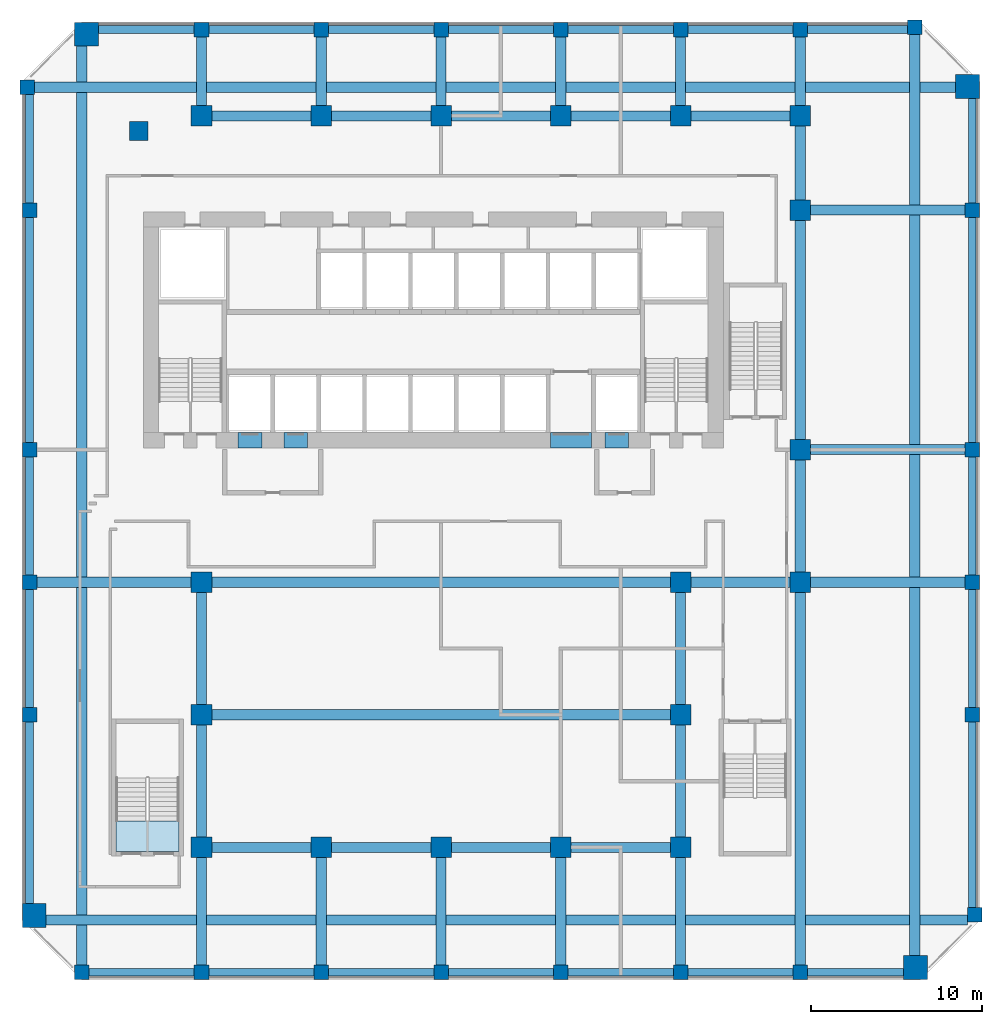
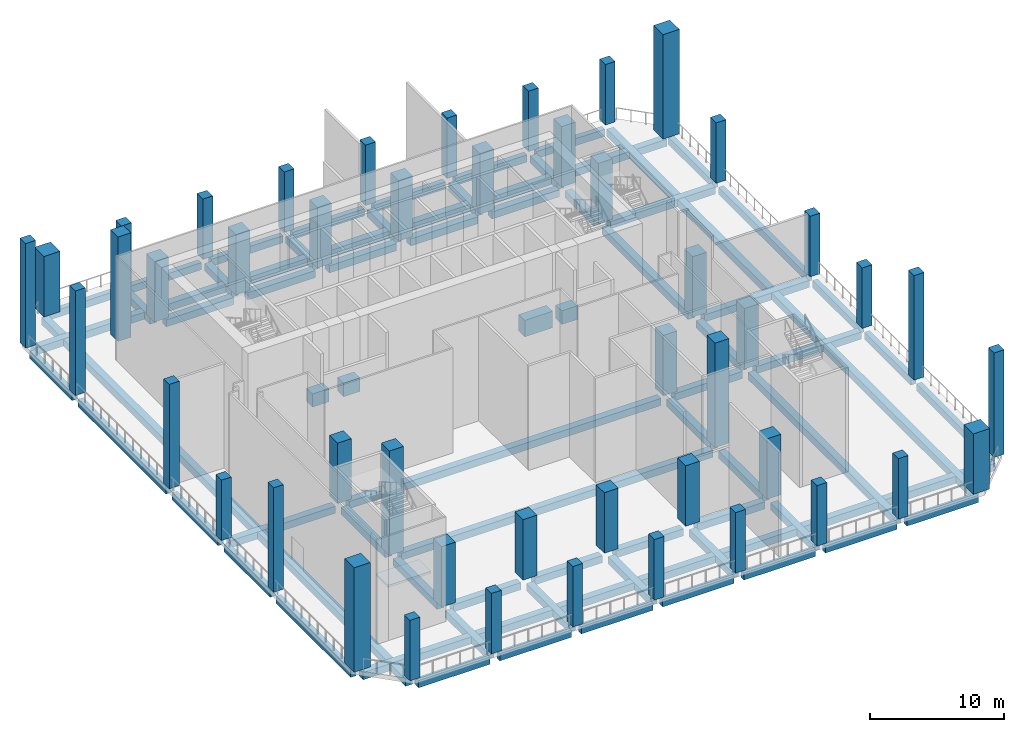
# One storey, part 1 of 12: 67 beams, 47 columns, 1 slab, 1 element without a shape of its own.
"""IFC4 building model written with IfcOpenShell, lengths in metres."""

from ifc_helpers import new_model, si_unit, direction, frame, origin, origin_2d, place, context, subcontext, project, spatial, polyline, rectangle, outline, extrude, source, transform, mapped, material, layer, layer_set, material_profile, profile_set, type_object, element, aggregate, save


model = new_model("IFC4")

# Units and contexts
model_context = context("Model", 3, precision=1e-05, world=origin(), true_north=direction((0.0, 1.0)))
body_context = subcontext(model_context, "Body", "Model", "MODEL_VIEW")
ifc_project = project(units=[si_unit("LENGTHUNIT", "METRE"), si_unit("AREAUNIT", "SQUARE_METRE"), si_unit("VOLUMEUNIT", "CUBIC_METRE"), si_unit("PLANEANGLEUNIT", "RADIAN"), si_unit("MASSUNIT", "GRAM", prefix="KILO")], contexts=[model_context])

# Site, building, storey
site_placement = place(None, origin())
site = spatial("IfcSite", under=ifc_project, at=site_placement, CompositionType="ELEMENT")
building_placement = place(site_placement, origin())
building = spatial("IfcBuilding", under=site, at=building_placement, Name="Kilnfold Tower and Market Hall", CompositionType="ELEMENT")
storey_placement = place(building_placement, frame((0.0, 0.0, 128.60009765625)))
storey = spatial("IfcBuildingStorey", under=building, at=storey_placement, Name="L30 Refuge Wind Floor", CompositionType="ELEMENT", Elevation=128.60009765625)

# Columns
ifc_material_1 = material(Name="Concrete C80", Category="concrete")
ifc_material_profile_1 = material_profile(ifc_material_1, rectangle(XDim=0.85009765625, YDim=0.85009765625, at=origin_2d()), Name="RC 850x850")
ifc_profile_set_1 = profile_set([ifc_material_profile_1], Name="Concrete C80")
column_type_1 = type_object("IfcColumnType", Name="COLUMN 850X850 C80", PredefinedType="COLUMN", material=ifc_profile_set_1)
shared_shape_1 = source(origin(), body_context, "Body", "SweptSolid", [
    extrude(rectangle(XDim=0.85009765625, YDim=0.85009765625, at=origin_2d()), origin(), (0.0, 0.0, 1.0), 9.5),
])
for number, where, z_axis, x_axis, name in (
    (1, (-22.681884765625, 29.181884765625, 0.0), (0.0, 0.0, 1.0), (1.0, 0.0, 0.0), "Column C-B3-1I"),
    (2, (-22.550048828125, -7.5, 0.0), (0.0, 0.0, 1.0), (1.0, 0.0, 0.0), "Column C-B3-1D"),
    (3, (-22.550048828125, 8.0, 0.0), (0.0, 0.0, 1.0), (1.0, 0.0, 0.0), "Column C-B3-1F"),
    (4, (-22.550048828125, 22.0, 0.0), (0.0, 0.0, 1.0), (1.0, 0.0, 0.0), "Column C-B3-1G"),
    (5, (32.550048828125, -7.5, 0.0), (0.0, 0.0, 1.0), (1.0, 0.0, 0.0), "Column C-B3-10D"),
    (6, (32.681884765625, -19.181884765625, 0.0), (0.0, 0.0, 1.0), (1.0, 0.0, 0.0), "Column C-B3-10B"),
):
    element("IfcColumn", number, at=place(storey_placement, frame(where, z_axis=z_axis, x_axis=x_axis)), inside=storey, type_object=column_type_1, Name=name, PredefinedType="COLUMN", context=body_context, shape_type="MappedRepresentation", body=[
        mapped(shared_shape_1, transform((0.0, 0.0, 0.0))),
    ])
ifc_material_2 = material(Name="Concrete C80", Category="concrete")
ifc_material_profile_2 = material_profile(ifc_material_2, rectangle(XDim=1.39990234375, YDim=1.39990234375, at=origin_2d()), Name="RC 1400x1400")
ifc_profile_set_2 = profile_set([ifc_material_profile_2], Name="Concrete C80")
column_type_2 = type_object("IfcColumnType", Name="COLUMN 1400X1400 C80", PredefinedType="COLUMN", material=ifc_profile_set_2)
shared_shape_2 = source(origin(), body_context, "Body", "SweptSolid", [
    extrude(rectangle(XDim=1.39990234375, YDim=1.39990234375, at=origin_2d()), origin(), (0.0, 0.0, 1.0), 9.5),
])
for number, where, z_axis, x_axis, name in (
    (7, (-22.27490234375, -19.22509765625, 0.0), (0.0, 0.0, 1.0), (1.0, 0.0, 0.0), "Column MC30-1"),
    (8, (32.27490234375, 29.22509765625, 0.0), (0.0, 0.0, 1.0), (1.0, 0.0, 0.0), "Column MC30-3"),
):
    element("IfcColumn", number, at=place(storey_placement, frame(where, z_axis=z_axis, x_axis=x_axis)), inside=storey, type_object=column_type_2, Name=name, PredefinedType="COLUMN", context=body_context, shape_type="MappedRepresentation", body=[
        mapped(shared_shape_2, transform((0.0, 0.0, 0.0))),
    ])
shared_shape_3 = source(origin(), body_context, "Body", "SweptSolid", [
    extrude(rectangle(XDim=0.85009765625, YDim=0.85009765625, at=origin_2d()), origin(), (0.0, 0.0, 1.0), 5.5),
])
for number, where, z_axis, x_axis, name in (
    (9, (-22.550048828125, 0.25, 0.0), (0.0, 0.0, 1.0), (1.0, 0.0, 0.0), "Column C-B3-1E"),
    (10, (-19.5, -22.550048828125, 0.0), (0.0, 0.0, 1.0), (1.0, 0.0, 0.0), "Column C-B3-2A"),
    (11, (-12.5, -22.550048828125, 0.0), (0.0, 0.0, 1.0), (1.0, 0.0, 0.0), "Column C-B3-3A"),
    (12, (-12.5, 32.550048828125, 0.0), (0.0, 0.0, 1.0), (1.0, 0.0, 0.0), "Column C-B3-3J"),
    (13, (-5.5, -22.550048828125, 0.0), (0.0, 0.0, 1.0), (1.0, 0.0, 0.0), "Column C-B3-4A"),
    (14, (-5.5, 32.550048828125, 0.0), (0.0, 0.0, 1.0), (1.0, 0.0, 0.0), "Column C-B3-4J"),
    (15, (1.5, -22.550048828125, 0.0), (0.0, 0.0, 1.0), (1.0, 0.0, 0.0), "Column C-B3-5A"),
    (16, (1.5, 32.550048828125, 0.0), (0.0, 0.0, 1.0), (1.0, 0.0, 0.0), "Column C-B3-5J"),
    (17, (8.5, -22.550048828125, 0.0), (0.0, 0.0, 1.0), (1.0, 0.0, 0.0), "Column C-B3-6A"),
    (18, (8.5, 32.550048828125, 0.0), (0.0, 0.0, 1.0), (1.0, 0.0, 0.0), "Column C-B3-6J"),
    (19, (15.5, -22.550048828125, 0.0), (0.0, 0.0, 1.0), (1.0, 0.0, 0.0), "Column C-B3-7A"),
    (20, (15.5, 32.550048828125, 0.0), (0.0, 0.0, 1.0), (1.0, 0.0, 0.0), "Column C-B3-7J"),
    (21, (22.5, -22.550048828125, 0.0), (0.0, 0.0, 1.0), (1.0, 0.0, 0.0), "Column C-B3-8A"),
    (22, (22.5, 32.550048828125, 0.0), (0.0, 0.0, 1.0), (1.0, 0.0, 0.0), "Column C-B3-8J"),
    (23, (29.181884765625, 32.681884765625, 0.0), (0.0, 0.0, 1.0), (1.0, 0.0, 0.0), "Column C-B3-9J"),
    (24, (32.550048828125, 0.25, 0.0), (0.0, 0.0, 1.0), (1.0, 0.0, 0.0), "Column C-B3-10E"),
    (25, (32.550048828125, 8.0, 0.0), (0.0, 0.0, 1.0), (1.0, 0.0, 0.0), "Column C-B3-10F"),
    (26, (32.550048828125, 22.0, 0.0), (0.0, 0.0, 1.0), (1.0, 0.0, 0.0), "Column C-B3-10G"),
):
    element("IfcColumn", number, at=place(storey_placement, frame(where, z_axis=z_axis, x_axis=x_axis)), inside=storey, type_object=column_type_1, Name=name, PredefinedType="COLUMN", context=body_context, shape_type="MappedRepresentation", body=[
        mapped(shared_shape_3, transform((0.0, 0.0, 0.0))),
    ])
shared_shape_4 = source(origin(), body_context, "Body", "SweptSolid", [
    extrude(rectangle(XDim=1.39990234375, YDim=1.39990234375, at=origin_2d()), origin(), (0.0, 0.0, 1.0), 5.5),
])
for number, where, z_axis, x_axis, name in (
    (27, (-19.22509765625, 32.27490234375, 0.0), (0.0, 0.0, 1.0), (1.0, 0.0, 0.0), "Column MC30-4"),
    (28, (29.22509765625, -22.27490234375, 0.0), (0.0, 0.0, 1.0), (1.0, 0.0, 0.0), "Column MC30-2"),
):
    element("IfcColumn", number, at=place(storey_placement, frame(where, z_axis=z_axis, x_axis=x_axis)), inside=storey, type_object=column_type_2, Name=name, PredefinedType="COLUMN", context=body_context, shape_type="MappedRepresentation", body=[
        mapped(shared_shape_4, transform((0.0, 0.0, 0.0))),
    ])
ifc_material_3 = material(Name="Concrete C80", Category="concrete")
ifc_material_profile_3 = material_profile(ifc_material_3, rectangle(XDim=1.199951171875, YDim=1.199951171875, at=origin_2d()), Name="RC 1200x1200")
ifc_profile_set_3 = profile_set([ifc_material_profile_3], Name="Concrete C80")
column_type_3 = type_object("IfcColumnType", Name="COLUMN 1200X1200 C80", PredefinedType="COLUMN", material=ifc_profile_set_3)
shared_shape_5 = source(origin(), body_context, "Body", "SweptSolid", [
    extrude(rectangle(XDim=1.199951171875, YDim=1.199951171875, at=origin_2d()), origin(), (0.0, 0.0, 1.0), 5.5),
])
for number, where, z_axis, x_axis, name in (
    (29, (-12.5, -15.25, 0.0), (0.0, 0.0, 1.0), (1.0, 0.0, 0.0), "Column C-B3-3C"),
    (30, (-12.5, 0.25, 0.0), (0.0, 0.0, 1.0), (1.0, 0.0, 0.0), "Column C-B3-3E"),
    (31, (-12.5, 27.5, 0.0), (0.0, 0.0, 1.0), (1.0, 0.0, 0.0), "Column C-B3-3H"),
    (32, (-5.5, -15.25, 0.0), (0.0, 0.0, 1.0), (1.0, 0.0, 0.0), "Column C-B3-4C"),
    (33, (-5.5, 27.5, 0.0), (0.0, 0.0, 1.0), (1.0, 0.0, 0.0), "Column C-B3-4H"),
    (34, (1.5, -15.25, 0.0), (0.0, 0.0, 1.0), (1.0, 0.0, 0.0), "Column C-B3-5C"),
    (35, (1.5, 27.5, 0.0), (0.0, 0.0, 1.0), (1.0, 0.0, 0.0), "Column C-B3-5H"),
    (36, (8.5, -15.25, 0.0), (0.0, 0.0, 1.0), (1.0, 0.0, 0.0), "Column C-B3-6C"),
    (37, (8.5, 27.5, 0.0), (0.0, 0.0, 1.0), (1.0, 0.0, 0.0), "Column C-B3-6H"),
    (38, (15.5, -15.25, 0.0), (0.0, 0.0, 1.0), (1.0, 0.0, 0.0), "Column C-B3-7C"),
    (39, (15.5, 0.25, 0.0), (0.0, 0.0, 1.0), (1.0, 0.0, 0.0), "Column C-B3-7E"),
    (40, (15.5, 27.5, 0.0), (0.0, 0.0, 1.0), (1.0, 0.0, 0.0), "Column C-B3-7H"),
    (41, (22.5, 0.25, 0.0), (0.0, 0.0, 1.0), (1.0, 0.0, 0.0), "Column C-B3-8E"),
    (42, (22.5, 8.0, 0.0), (0.0, 0.0, 1.0), (1.0, 0.0, 0.0), "Column C-B3-8F"),
    (43, (22.5, 22.0, 0.0), (0.0, 0.0, 1.0), (1.0, 0.0, 0.0), "Column C-B3-8G"),
    (44, (22.5, 27.5, 0.0), (0.0, 0.0, 1.0), (1.0, 0.0, 0.0), "Column C-B3-8H"),
):
    element("IfcColumn", number, at=place(storey_placement, frame(where, z_axis=z_axis, x_axis=x_axis)), inside=storey, type_object=column_type_3, Name=name, PredefinedType="COLUMN", context=body_context, shape_type="MappedRepresentation", body=[
        mapped(shared_shape_5, transform((0.0, 0.0, 0.0))),
    ])
shared_shape_6 = source(origin(), body_context, "Body", "SweptSolid", [
    extrude(rectangle(XDim=1.199951171875, YDim=1.199951171875, at=origin_2d()), origin(), (0.0, 0.0, 1.0), 9.5),
])
for number, where, z_axis, x_axis, name in (
    (45, (-12.5, -7.5, 0.0), (0.0, 0.0, 1.0), (1.0, 0.0, 0.0), "Column C-B3-3D"),
    (46, (15.5, -7.5, 0.0), (0.0, 0.0, 1.0), (1.0, 0.0, 0.0), "Column C-B3-7D"),
):
    element("IfcColumn", number, at=place(storey_placement, frame(where, z_axis=z_axis, x_axis=x_axis)), inside=storey, type_object=column_type_3, Name=name, PredefinedType="COLUMN", context=body_context, shape_type="MappedRepresentation", body=[
        mapped(shared_shape_6, transform((0.0, 0.0, 0.0))),
    ])
ifc_material_4 = material(Name="Concrete C70", Category="concrete")
ifc_material_profile_4 = material_profile(ifc_material_4, rectangle(XDim=1.10009765625, YDim=1.10009765625, at=origin_2d()), Name="RC 1100x1100")
ifc_profile_set_4 = profile_set([ifc_material_profile_4], Name="Concrete C70")
column_type_4 = type_object("IfcColumnType", Name="COLUMN 1100X1100 C70", PredefinedType="COLUMN", material=ifc_profile_set_4)
shared_shape_7 = source(origin(), body_context, "Body", "SweptSolid", [
    extrude(rectangle(XDim=1.10009765625, YDim=1.10009765625, at=origin_2d()), origin(), (0.0, 0.0, 1.0), 9.5),
])
column_placement = place(storey_placement, frame((-16.166748046875, 26.625, 0.0), z_axis=(0.0, 0.0, 1.0), x_axis=(1.0, 0.0, 0.0)))
element("IfcColumn", 47, at=column_placement, inside=storey, type_object=column_type_4, Name="Column C-B4-3H", PredefinedType="COLUMN", context=body_context, shape_type="MappedRepresentation", body=[
    mapped(shared_shape_7, transform((0.0, 0.0, 0.0))),
])

# Beams
ifc_material_5 = material(Name="Concrete C45", Category="concrete")
ifc_material_profile_5 = material_profile(ifc_material_5, rectangle(XDim=0.449951171875, YDim=0.64990234375, at=origin_2d()), Name="RC 450x650")
ifc_profile_set_5 = profile_set([ifc_material_profile_5], Name="Concrete C45")
beam_type_1 = type_object("IfcBeamType", Name="EDGE BEAM 450X650 C45", PredefinedType="BEAM", material=ifc_profile_set_5)
shared_shape_8 = source(origin(), body_context, "Body", "SweptSolid", [
    extrude(rectangle(XDim=0.449951171875, YDim=0.64990234375, at=origin_2d()), origin(), (0.0, 0.0, 1.0), 6.14990234375),
])
for number, where, z_axis, x_axis, name in (
    (48, (-19.074951171875, -22.550048828125, -0.72509765625), (1.0, 0.0, 0.0), (0.0, 1.0, 0.0), "Beam EB650-B3.52"),
    (49, (-12.074951171875, -22.550048828125, -0.72509765625), (1.0, 0.0, 0.0), (0.0, 1.0, 0.0), "Beam EB650-B3.53"),
    (50, (-5.074951171875, -22.550048828125, -0.72509765625), (1.0, 0.0, 0.0), (0.0, 1.0, 0.0), "Beam EB650-B3.54"),
    (51, (1.925048828125, -22.550048828125, -0.72509765625), (1.0, 0.0, 0.0), (0.0, 1.0, 0.0), "Beam EB650-B3.55"),
    (52, (8.925048828125, -22.550048828125, -0.72509765625), (1.0, 0.0, 0.0), (0.0, 1.0, 0.0), "Beam EB650-B3.56"),
    (53, (15.925048828125, -22.550048828125, -0.72509765625), (1.0, 0.0, 0.0), (0.0, 1.0, 0.0), "Beam EB650-B3.57"),
    (54, (22.925048828125, -22.550048828125, -0.72509765625), (1.0, 0.0, 0.0), (0.0, 1.0, 0.0), "Beam EB650-B3.58"),
    (55, (-19.074951171875, 32.550048828125, -0.72509765625), (1.0, 0.0, 0.0), (0.0, 1.0, 0.0), "Beam EB650-B3.67"),
    (56, (-12.074951171875, 32.550048828125, -0.72509765625), (1.0, 0.0, 0.0), (0.0, 1.0, 0.0), "Beam EB650-B3.68"),
    (57, (-5.074951171875, 32.550048828125, -0.72509765625), (1.0, 0.0, 0.0), (0.0, 1.0, 0.0), "Beam EB650-B3.69"),
    (58, (1.925048828125, 32.550048828125, -0.72509765625), (1.0, 0.0, 0.0), (0.0, 1.0, 0.0), "Beam EB650-B3.70"),
    (59, (8.925048828125, 32.550048828125, -0.72509765625), (1.0, 0.0, 0.0), (0.0, 1.0, 0.0), "Beam EB650-B3.71"),
    (60, (15.925048828125, 32.550048828125, -0.72509765625), (1.0, 0.0, 0.0), (0.0, 1.0, 0.0), "Beam EB650-B3.72"),
):
    element("IfcBeam", number, at=place(storey_placement, frame(where, z_axis=z_axis, x_axis=x_axis)), inside=storey, type_object=beam_type_1, Name=name, PredefinedType="BEAM", context=body_context, shape_type="MappedRepresentation", body=[
        mapped(shared_shape_8, transform((0.0, 0.0, 0.0))),
    ])
ifc_material_6 = material(Name="Concrete C45", Category="concrete")
ifc_material_profile_6 = material_profile(ifc_material_6, rectangle(XDim=0.60009765625, YDim=0.64990234375, at=origin_2d()), Name="RC 600x650")
ifc_profile_set_6 = profile_set([ifc_material_profile_6], Name="Concrete C45")
beam_type_2 = type_object("IfcBeamType", Name="BEAM 600X650 C45", PredefinedType="BEAM", material=ifc_profile_set_6)
shared_shape_9 = source(origin(), body_context, "Body", "SweptSolid", [
    extrude(rectangle(XDim=0.60009765625, YDim=0.64990234375, at=origin_2d()), origin(), (0.0, 0.0, 1.0), 54.3818359375),
])
for number, where, z_axis, x_axis, name in (
    (61, (-22.125, -19.5, -0.72509765625), (1.0, 0.0, 0.0), (0.0, 1.0, 0.0), "Beam BB650-B3.59"),
    (62, (-22.2568359375, 29.179931640625, -0.72509765625), (1.0, 0.0, 0.0), (0.0, 1.0, 0.0), "Beam BB650-B3.66"),
    (63, (29.179931640625, -22.125, -0.72509765625), (0.0, 1.0, 0.0), (-1.0, 0.0, 0.0), "Beam BB650-B3.82"),
):
    element("IfcBeam", number, at=place(storey_placement, frame(where, z_axis=z_axis, x_axis=x_axis)), inside=storey, type_object=beam_type_2, Name=name, PredefinedType="BEAM", context=body_context, shape_type="MappedRepresentation", body=[
        mapped(shared_shape_9, transform((0.0, 0.0, 0.0))),
    ])
shared_shape_10 = source(origin(), body_context, "Body", "SweptSolid", [
    extrude(rectangle(XDim=0.60009765625, YDim=0.64990234375, at=origin_2d()), origin(), (0.0, 0.0, 1.0), 26.7998046875),
])
for number, where, z_axis, x_axis, name in (
    (64, (-11.89990234375, -7.5, -0.72509765625), (1.0, 0.0, 0.0), (0.0, 1.0, 0.0), "Beam BB650-B3.60"),
    (65, (-11.89990234375, 0.25, -0.72509765625), (1.0, 0.0, 0.0), (0.0, 1.0, 0.0), "Beam BB650-B3.62"),
):
    element("IfcBeam", number, at=place(storey_placement, frame(where, z_axis=z_axis, x_axis=x_axis)), inside=storey, type_object=beam_type_2, Name=name, PredefinedType="BEAM", context=body_context, shape_type="MappedRepresentation", body=[
        mapped(shared_shape_10, transform((0.0, 0.0, 0.0))),
    ])
shared_shape_11 = source(origin(), body_context, "Body", "SweptSolid", [
    extrude(rectangle(XDim=0.60009765625, YDim=0.64990234375, at=origin_2d()), origin(), (0.0, 0.0, 1.0), 9.02490234375),
])
for number, where, z_axis, x_axis, name in (
    (66, (-22.125, 0.25, -0.72509765625), (1.0, 0.0, 0.0), (0.0, 1.0, 0.0), "Beam BB650-B3.61"),
    (67, (23.10009765625, 0.25, -0.72509765625), (1.0, 0.0, 0.0), (0.0, 1.0, 0.0), "Beam BB650-B3.63"),
    (68, (23.10009765625, 8.0, -0.72509765625), (1.0, 0.0, 0.0), (0.0, 1.0, 0.0), "Beam BB650-B3.64"),
    (69, (23.10009765625, 22.0, -0.72509765625), (1.0, 0.0, 0.0), (0.0, 1.0, 0.0), "Beam BB650-B3.65"),
):
    element("IfcBeam", number, at=place(storey_placement, frame(where, z_axis=z_axis, x_axis=x_axis)), inside=storey, type_object=beam_type_2, Name=name, PredefinedType="BEAM", context=body_context, shape_type="MappedRepresentation", body=[
        mapped(shared_shape_11, transform((0.0, 0.0, 0.0))),
    ])
shared_shape_12 = source(origin(), body_context, "Body", "SweptSolid", [
    extrude(rectangle(XDim=0.449951171875, YDim=0.64990234375, at=origin_2d()), origin(), (0.0, 0.0, 1.0), 5.831787109375),
])
beam_1_placement = place(storey_placement, frame((22.925048828125, 32.550048828125, -0.72509765625), z_axis=(1.0, 0.0, 0.0), x_axis=(0.0, 1.0, 0.0)))
element("IfcBeam", 70, at=beam_1_placement, inside=storey, type_object=beam_type_1, Name="Beam EB650-B3.73", PredefinedType="BEAM", context=body_context, shape_type="MappedRepresentation", body=[
    mapped(shared_shape_12, transform((0.0, 0.0, 0.0))),
])
shared_shape_13 = source(origin(), body_context, "Body", "SweptSolid", [
    extrude(rectangle(XDim=0.449951171875, YDim=0.64990234375, at=origin_2d()), origin(), (0.0, 0.0, 1.0), 11.14990234375),
])
beam_2_placement = place(storey_placement, frame((-22.550048828125, -19.074951171875, -0.72509765625), z_axis=(0.0, 1.0, 0.0), x_axis=(-1.0, 0.0, 0.0)))
element("IfcBeam", 71, at=beam_2_placement, inside=storey, type_object=beam_type_1, Name="Beam EB650-B3.74", PredefinedType="BEAM", context=body_context, shape_type="MappedRepresentation", body=[
    mapped(shared_shape_13, transform((0.0, 0.0, 0.0))),
])
shared_shape_14 = source(origin(), body_context, "Body", "SweptSolid", [
    extrude(rectangle(XDim=0.449951171875, YDim=0.64990234375, at=origin_2d()), origin(), (0.0, 0.0, 1.0), 6.89990234375),
])
for number, where, z_axis, x_axis, name in (
    (72, (-22.550048828125, -7.074951171875, -0.72509765625), (0.0, 1.0, 0.0), (-1.0, 0.0, 0.0), "Beam EB650-B3.75"),
    (73, (-22.550048828125, 0.675048828125, -0.72509765625), (0.0, 1.0, 0.0), (-1.0, 0.0, 0.0), "Beam EB650-B3.76"),
    (74, (32.550048828125, -7.074951171875, -0.72509765625), (0.0, 1.0, 0.0), (-1.0, 0.0, 0.0), "Beam EB650-B3.84"),
    (75, (32.550048828125, 0.675048828125, -0.72509765625), (0.0, 1.0, 0.0), (-1.0, 0.0, 0.0), "Beam EB650-B3.85"),
):
    element("IfcBeam", number, at=place(storey_placement, frame(where, z_axis=z_axis, x_axis=x_axis)), inside=storey, type_object=beam_type_1, Name=name, PredefinedType="BEAM", context=body_context, shape_type="MappedRepresentation", body=[
        mapped(shared_shape_14, transform((0.0, 0.0, 0.0))),
    ])
shared_shape_15 = source(origin(), body_context, "Body", "SweptSolid", [
    extrude(rectangle(XDim=0.449951171875, YDim=0.64990234375, at=origin_2d()), origin(), (0.0, 0.0, 1.0), 13.14990234375),
])
for number, where, z_axis, x_axis, name in (
    (76, (-22.550048828125, 8.425048828125, -0.72509765625), (0.0, 1.0, 0.0), (-1.0, 0.0, 0.0), "Beam EB650-B3.77"),
    (77, (32.550048828125, 8.425048828125, -0.72509765625), (0.0, 1.0, 0.0), (-1.0, 0.0, 0.0), "Beam EB650-B3.86"),
):
    element("IfcBeam", number, at=place(storey_placement, frame(where, z_axis=z_axis, x_axis=x_axis)), inside=storey, type_object=beam_type_1, Name=name, PredefinedType="BEAM", context=body_context, shape_type="MappedRepresentation", body=[
        mapped(shared_shape_15, transform((0.0, 0.0, 0.0))),
    ])
shared_shape_16 = source(origin(), body_context, "Body", "SweptSolid", [
    extrude(rectangle(XDim=0.449951171875, YDim=0.64990234375, at=origin_2d()), origin(), (0.0, 0.0, 1.0), 6.331787109375),
])
beam_3_placement = place(storey_placement, frame((-22.550048828125, 22.425048828125, -0.72509765625), z_axis=(0.0, 1.0, 0.0), x_axis=(-1.0, 0.0, 0.0)))
element("IfcBeam", 78, at=beam_3_placement, inside=storey, type_object=beam_type_1, Name="Beam EB650-B3.78", PredefinedType="BEAM", context=body_context, shape_type="MappedRepresentation", body=[
    mapped(shared_shape_16, transform((0.0, 0.0, 0.0))),
])
shared_shape_17 = source(origin(), body_context, "Body", "SweptSolid", [
    extrude(rectangle(XDim=0.60009765625, YDim=0.64990234375, at=origin_2d()), origin(), (0.0, 0.0, 1.0), 54.25),
])
beam_4_placement = place(storey_placement, frame((-19.5, -22.125, -0.72509765625), z_axis=(0.0, 1.0, 0.0), x_axis=(-1.0, 0.0, 0.0)))
element("IfcBeam", 79, at=beam_4_placement, inside=storey, type_object=beam_type_2, Name="Beam BB650-B3.79", PredefinedType="BEAM", context=body_context, shape_type="MappedRepresentation", body=[
    mapped(shared_shape_17, transform((0.0, 0.0, 0.0))),
])
shared_shape_18 = source(origin(), body_context, "Body", "SweptSolid", [
    extrude(rectangle(XDim=0.60009765625, YDim=0.64990234375, at=origin_2d()), origin(), (0.0, 0.0, 1.0), 21.77490234375),
])
beam_5_placement = place(storey_placement, frame((22.5, -22.125, -0.72509765625), z_axis=(0.0, 1.0, 0.0), x_axis=(-1.0, 0.0, 0.0)))
element("IfcBeam", 80, at=beam_5_placement, inside=storey, type_object=beam_type_2, Name="Beam BB650-B3.80", PredefinedType="BEAM", context=body_context, shape_type="MappedRepresentation", body=[
    mapped(shared_shape_18, transform((0.0, 0.0, 0.0))),
])
shared_shape_19 = source(origin(), body_context, "Body", "SweptSolid", [
    extrude(rectangle(XDim=0.60009765625, YDim=0.64990234375, at=origin_2d()), origin(), (0.0, 0.0, 1.0), 12.7998046875),
])
beam_6_placement = place(storey_placement, frame((22.5, 8.60009765625, -0.72509765625), z_axis=(0.0, 1.0, 0.0), x_axis=(-1.0, 0.0, 0.0)))
element("IfcBeam", 81, at=beam_6_placement, inside=storey, type_object=beam_type_2, Name="Beam BB650-B3.81", PredefinedType="BEAM", context=body_context, shape_type="MappedRepresentation", body=[
    mapped(shared_shape_19, transform((0.0, 0.0, 0.0))),
])
shared_shape_20 = source(origin(), body_context, "Body", "SweptSolid", [
    extrude(rectangle(XDim=0.449951171875, YDim=0.64990234375, at=origin_2d()), origin(), (0.0, 0.0, 1.0), 10.831787109375),
])
beam_7_placement = place(storey_placement, frame((32.550048828125, -18.7568359375, -0.72509765625), z_axis=(0.0, 1.0, 0.0), x_axis=(-1.0, 0.0, 0.0)))
element("IfcBeam", 82, at=beam_7_placement, inside=storey, type_object=beam_type_1, Name="Beam EB650-B3.83", PredefinedType="BEAM", context=body_context, shape_type="MappedRepresentation", body=[
    mapped(shared_shape_20, transform((0.0, 0.0, 0.0))),
])
shared_shape_21 = source(origin(), body_context, "Body", "SweptSolid", [
    extrude(rectangle(XDim=0.449951171875, YDim=0.64990234375, at=origin_2d()), origin(), (0.0, 0.0, 1.0), 6.64990234375),
])
beam_8_placement = place(storey_placement, frame((32.550048828125, 22.425048828125, -0.72509765625), z_axis=(0.0, 1.0, 0.0), x_axis=(-1.0, 0.0, 0.0)))
element("IfcBeam", 83, at=beam_8_placement, inside=storey, type_object=beam_type_1, Name="Beam EB650-B3.87", PredefinedType="BEAM", context=body_context, shape_type="MappedRepresentation", body=[
    mapped(shared_shape_21, transform((0.0, 0.0, 0.0))),
])
ifc_material_7 = material(Name="Concrete C70", Category="concrete")
ifc_material_profile_7 = material_profile(ifc_material_7, rectangle(XDim=0.89990234375, YDim=1.199951171875, at=origin_2d()), Name="RC 900x1200")
ifc_profile_set_7 = profile_set([ifc_material_profile_7], Name="Concrete C70")
beam_type_3 = type_object("IfcBeamType", Name="COUPLING BEAM 900X1200 C70", PredefinedType="BEAM", material=ifc_profile_set_7)
shared_shape_22 = source(origin(), body_context, "Body", "SweptSolid", [
    extrude(rectangle(XDim=0.89990234375, YDim=1.199951171875, at=origin_2d()), origin(), (0.0, 0.0, 1.0), 1.400146484375),
])
beam_9_placement = place(storey_placement, frame((-10.3701171875, 8.550048828125, 3.2998046875), z_axis=(1.0, 0.0, 0.0), x_axis=(0.0, 1.0, 0.0)))
element("IfcBeam", 84, at=beam_9_placement, inside=storey, type_object=beam_type_3, Name="Coupling beam CB1200-70-CORE.34", PredefinedType="BEAM", context=body_context, shape_type="MappedRepresentation", body=[
    mapped(shared_shape_22, transform((0.0, 0.0, 0.0))),
])
ifc_material_8 = material(Name="Concrete C70", Category="concrete")
ifc_material_profile_8 = material_profile(ifc_material_8, rectangle(XDim=0.89990234375, YDim=1.25, at=origin_2d()), Name="RC 900x1250")
ifc_profile_set_8 = profile_set([ifc_material_profile_8], Name="Concrete C70")
beam_type_4 = type_object("IfcBeamType", Name="COUPLING BEAM 900X1250 C70", PredefinedType="BEAM", material=ifc_profile_set_8)
shared_shape_23 = source(origin(), body_context, "Body", "SweptSolid", [
    extrude(rectangle(XDim=0.89990234375, YDim=1.25, at=origin_2d()), origin(), (0.0, 0.0, 1.0), 1.39990234375),
])
for number, where, z_axis, x_axis, name in (
    (85, (-7.68994140625, 8.550048828125, 3.324951171875), (1.0, 0.0, 0.0), (0.0, 1.0, 0.0), "Coupling beam CB1250-70-CORE.36"),
    (86, (11.070068359375, 8.550048828125, 3.324951171875), (1.0, 0.0, 0.0), (0.0, 1.0, 0.0), "Coupling beam CB1250-70-CORE.40"),
):
    element("IfcBeam", number, at=place(storey_placement, frame(where, z_axis=z_axis, x_axis=x_axis)), inside=storey, type_object=beam_type_4, Name=name, PredefinedType="BEAM", context=body_context, shape_type="MappedRepresentation", body=[
        mapped(shared_shape_23, transform((0.0, 0.0, 0.0))),
    ])
ifc_material_9 = material(Name="Concrete C70", Category="concrete")
ifc_material_profile_9 = material_profile(ifc_material_9, rectangle(XDim=0.89990234375, YDim=1.5, at=origin_2d()), Name="RC 900x1500")
ifc_profile_set_9 = profile_set([ifc_material_profile_9], Name="Concrete C70")
beam_type_5 = type_object("IfcBeamType", Name="COUPLING BEAM 900X1500 C70", PredefinedType="BEAM", material=ifc_profile_set_9)
shared_shape_24 = source(origin(), body_context, "Body", "SweptSolid", [
    extrude(rectangle(XDim=0.89990234375, YDim=1.5, at=origin_2d()), origin(), (0.0, 0.0, 1.0), 2.400146484375),
])
beam_10_placement = place(storey_placement, frame((7.889892578125, 8.550048828125, 3.449951171875), z_axis=(1.0, 0.0, 0.0), x_axis=(0.0, 1.0, 0.0)))
element("IfcBeam", 87, at=beam_10_placement, inside=storey, type_object=beam_type_5, Name="Coupling beam CB1500-70-CORE.38", PredefinedType="BEAM", context=body_context, shape_type="MappedRepresentation", body=[
    mapped(shared_shape_24, transform((0.0, 0.0, 0.0))),
])
shared_shape_25 = source(origin(), body_context, "Body", "SweptSolid", [
    extrude(rectangle(XDim=0.60009765625, YDim=0.64990234375, at=origin_2d()), origin(), (0.0, 0.0, 1.0), 5.7998046875),
])
for number, where, z_axis, x_axis, name in (
    (88, (-11.89990234375, -15.25, -0.72509765625), (1.0, 0.0, 0.0), (0.0, 1.0, 0.0), "Beam BB650-B3.88"),
    (89, (-4.89990234375, -15.25, -0.72509765625), (1.0, 0.0, 0.0), (0.0, 1.0, 0.0), "Beam BB650-B3.89"),
    (90, (2.10009765625, -15.25, -0.72509765625), (1.0, 0.0, 0.0), (0.0, 1.0, 0.0), "Beam BB650-B3.90"),
    (91, (9.10009765625, -15.25, -0.72509765625), (1.0, 0.0, 0.0), (0.0, 1.0, 0.0), "Beam BB650-B3.91"),
    (92, (16.10009765625, 0.25, -0.72509765625), (1.0, 0.0, 0.0), (0.0, 1.0, 0.0), "Beam BB650-B3.92"),
    (93, (-11.89990234375, 27.5, -0.72509765625), (1.0, 0.0, 0.0), (0.0, 1.0, 0.0), "Beam BB650-B3.93"),
    (94, (-4.89990234375, 27.5, -0.72509765625), (1.0, 0.0, 0.0), (0.0, 1.0, 0.0), "Beam BB650-B3.94"),
    (95, (2.10009765625, 27.5, -0.72509765625), (1.0, 0.0, 0.0), (0.0, 1.0, 0.0), "Beam BB650-B3.95"),
    (96, (9.10009765625, 27.5, -0.72509765625), (1.0, 0.0, 0.0), (0.0, 1.0, 0.0), "Beam BB650-B3.96"),
    (97, (16.10009765625, 27.5, -0.72509765625), (1.0, 0.0, 0.0), (0.0, 1.0, 0.0), "Beam BB650-B3.97"),
):
    element("IfcBeam", number, at=place(storey_placement, frame(where, z_axis=z_axis, x_axis=x_axis)), inside=storey, type_object=beam_type_2, Name=name, PredefinedType="BEAM", context=body_context, shape_type="MappedRepresentation", body=[
        mapped(shared_shape_25, transform((0.0, 0.0, 0.0))),
    ])
shared_shape_26 = source(origin(), body_context, "Body", "SweptSolid", [
    extrude(rectangle(XDim=0.60009765625, YDim=0.64990234375, at=origin_2d()), origin(), (0.0, 0.0, 1.0), 6.27490234375),
])
for number, where, z_axis, x_axis, name in (
    (98, (-12.5, -22.125, -0.72509765625), (0.0, 1.0, 0.0), (-1.0, 0.0, 0.0), "Beam BB650-B3.98"),
    (99, (-5.5, -22.125, -0.72509765625), (0.0, 1.0, 0.0), (-1.0, 0.0, 0.0), "Beam BB650-B3.102"),
    (100, (1.5, -22.125, -0.72509765625), (0.0, 1.0, 0.0), (-1.0, 0.0, 0.0), "Beam BB650-B3.104"),
    (101, (8.5, -22.125, -0.72509765625), (0.0, 1.0, 0.0), (-1.0, 0.0, 0.0), "Beam BB650-B3.106"),
    (102, (15.5, -22.125, -0.72509765625), (0.0, 1.0, 0.0), (-1.0, 0.0, 0.0), "Beam BB650-B3.108"),
):
    element("IfcBeam", number, at=place(storey_placement, frame(where, z_axis=z_axis, x_axis=x_axis)), inside=storey, type_object=beam_type_2, Name=name, PredefinedType="BEAM", context=body_context, shape_type="MappedRepresentation", body=[
        mapped(shared_shape_26, transform((0.0, 0.0, 0.0))),
    ])
shared_shape_27 = source(origin(), body_context, "Body", "SweptSolid", [
    extrude(rectangle(XDim=0.60009765625, YDim=0.64990234375, at=origin_2d()), origin(), (0.0, 0.0, 1.0), 6.5498046875),
])
for number, where, z_axis, x_axis, name in (
    (103, (-12.5, -14.64990234375, -0.72509765625), (0.0, 1.0, 0.0), (-1.0, 0.0, 0.0), "Beam BB650-B3.99"),
    (104, (-12.5, -6.89990234375, -0.72509765625), (0.0, 1.0, 0.0), (-1.0, 0.0, 0.0), "Beam BB650-B3.100"),
    (105, (15.5, -14.64990234375, -0.72509765625), (0.0, 1.0, 0.0), (-1.0, 0.0, 0.0), "Beam BB650-B3.109"),
    (106, (15.5, -6.89990234375, -0.72509765625), (0.0, 1.0, 0.0), (-1.0, 0.0, 0.0), "Beam BB650-B3.110"),
    (107, (22.5, 0.85009765625, -0.72509765625), (0.0, 1.0, 0.0), (-1.0, 0.0, 0.0), "Beam BB650-B3.112"),
):
    element("IfcBeam", number, at=place(storey_placement, frame(where, z_axis=z_axis, x_axis=x_axis)), inside=storey, type_object=beam_type_2, Name=name, PredefinedType="BEAM", context=body_context, shape_type="MappedRepresentation", body=[
        mapped(shared_shape_27, transform((0.0, 0.0, 0.0))),
    ])
shared_shape_28 = source(origin(), body_context, "Body", "SweptSolid", [
    extrude(rectangle(XDim=0.60009765625, YDim=0.64990234375, at=origin_2d()), origin(), (0.0, 0.0, 1.0), 4.02490234375),
])
for number, where, z_axis, x_axis, name in (
    (108, (-12.5, 28.10009765625, -0.72509765625), (0.0, 1.0, 0.0), (-1.0, 0.0, 0.0), "Beam BB650-B3.101"),
    (109, (-5.5, 28.10009765625, -0.72509765625), (0.0, 1.0, 0.0), (-1.0, 0.0, 0.0), "Beam BB650-B3.103"),
    (110, (1.5, 28.10009765625, -0.72509765625), (0.0, 1.0, 0.0), (-1.0, 0.0, 0.0), "Beam BB650-B3.105"),
    (111, (8.5, 28.10009765625, -0.72509765625), (0.0, 1.0, 0.0), (-1.0, 0.0, 0.0), "Beam BB650-B3.107"),
    (112, (15.5, 28.10009765625, -0.72509765625), (0.0, 1.0, 0.0), (-1.0, 0.0, 0.0), "Beam BB650-B3.111"),
    (113, (22.5, 28.10009765625, -0.72509765625), (0.0, 1.0, 0.0), (-1.0, 0.0, 0.0), "Beam BB650-B3.114"),
):
    element("IfcBeam", number, at=place(storey_placement, frame(where, z_axis=z_axis, x_axis=x_axis)), inside=storey, type_object=beam_type_2, Name=name, PredefinedType="BEAM", context=body_context, shape_type="MappedRepresentation", body=[
        mapped(shared_shape_28, transform((0.0, 0.0, 0.0))),
    ])
shared_shape_29 = source(origin(), body_context, "Body", "SweptSolid", [
    extrude(rectangle(XDim=0.60009765625, YDim=0.64990234375, at=origin_2d()), origin(), (0.0, 0.0, 1.0), 4.2998046875),
])
beam_11_placement = place(storey_placement, frame((22.5, 22.60009765625, -0.72509765625), z_axis=(0.0, 1.0, 0.0), x_axis=(-1.0, 0.0, 0.0)))
element("IfcBeam", 114, at=beam_11_placement, inside=storey, type_object=beam_type_2, Name="Beam BB650-B3.113", PredefinedType="BEAM", context=body_context, shape_type="MappedRepresentation", body=[
    mapped(shared_shape_29, transform((0.0, 0.0, 0.0))),
])

# Stair, slab
ifc_material_10 = material(Name="Concrete C40/50", Category="concrete")
stair_type = type_object("IfcStairType", Name="CORE STAIR 1800", PredefinedType="HALF_TURN_STAIR", material=ifc_material_10)
stair_placement = place(storey_placement, origin())
stair = element("IfcStair", 115, at=stair_placement, inside=storey, type_object=stair_type, Name="L30 Refuge Wind Floor ST3", PredefinedType="HALF_TURN_STAIR")
ifc_material_11 = material(Name="Concrete C40/50", Category="concrete")
ifc_layer = layer(ifc_material_11, 0.199951171875)
ifc_layer_set = layer_set([ifc_layer], Name="Concrete C40/50")
slab_type = type_object("IfcSlabType", Name="CORE STAIR LANDING 200", PredefinedType="LANDING", material=ifc_layer_set)
shared_shape_30 = source(origin(), body_context, "Body", "SweptSolid", [
    extrude(outline(polyline([(-13.800048828125, -15.5), (-13.800048828125, -13.699951171875), (-17.5, -13.699951171875), (-17.5, -15.5), (-13.800048828125, -15.5)])), origin(), (0.0, 0.0, 1.0), 0.199951171875),
])
slab_placement = place(storey_placement, frame((0.0, 0.0, 3.099853515625)))
slab = element("IfcSlab", 116, at=slab_placement, type_object=slab_type, Name="ST3 landing 2", PredefinedType="LANDING", context=body_context, shape_type="MappedRepresentation", body=[
    mapped(shared_shape_30, transform((0.0, 0.0, 0.0))),
])
aggregate(stair, [slab])

save(model, "model.ifc")
